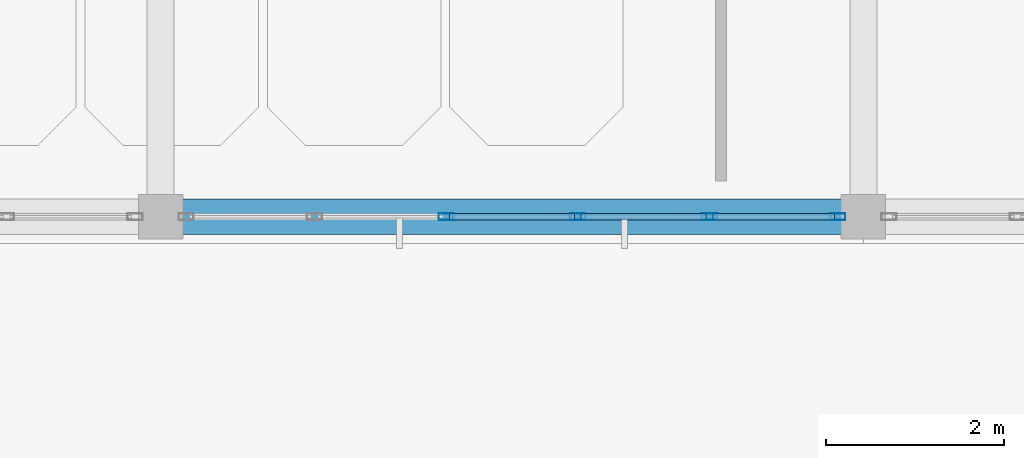
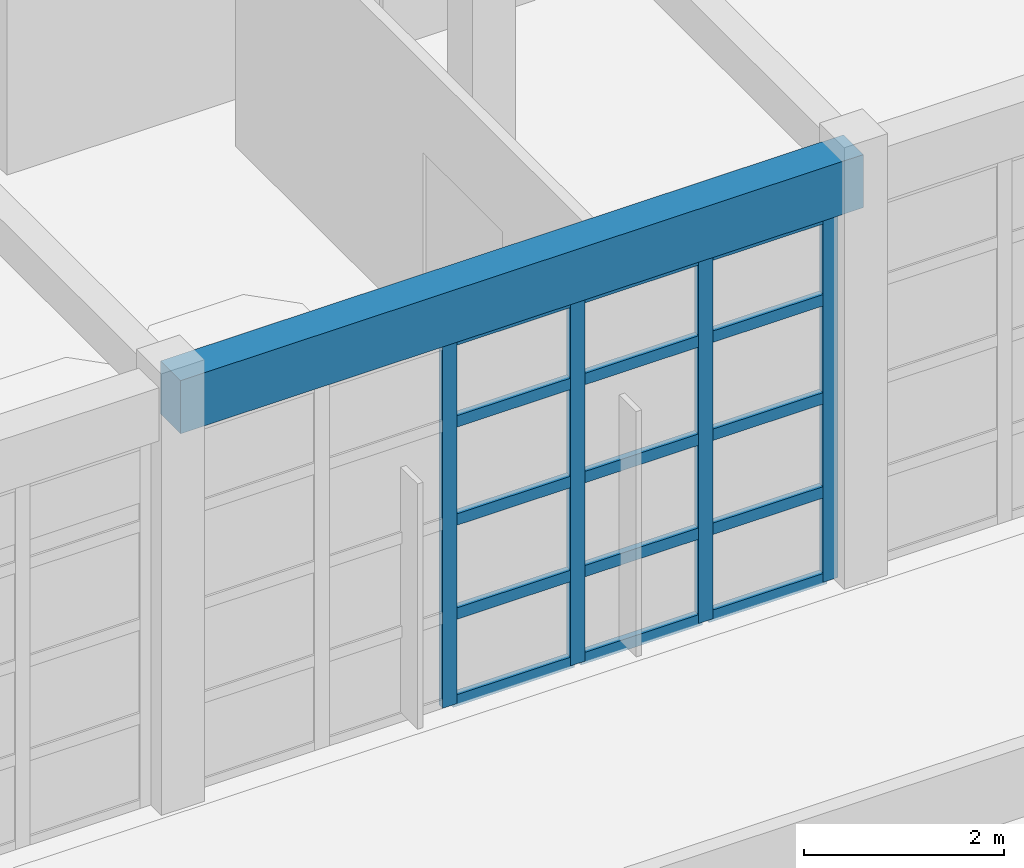
# One storey, part 4 of 103: 19 members, 1 beam, 1 element without a shape of its own.
"""IFC4 building model written with IfcOpenShell, lengths in metres."""

from ifc_helpers import new_model, si_unit, direction, frame, origin, origin_2d, place, context, subcontext, project, spatial, rectangle, hollow_rectangle, extrude, material, layer, layer_set, material_profile, profile_set, type_object, element, aggregate, save


model = new_model("IFC4")

# Units and contexts
model_context = context("Model", 3, precision=1e-05, world=origin(), true_north=direction((0.0, 1.0)))
body_context = subcontext(model_context, "Body", "Model", "MODEL_VIEW")
ifc_project = project(units=[si_unit("LENGTHUNIT", "METRE"), si_unit("AREAUNIT", "SQUARE_METRE"), si_unit("VOLUMEUNIT", "CUBIC_METRE"), si_unit("PLANEANGLEUNIT", "RADIAN"), si_unit("MASSUNIT", "GRAM", prefix="KILO")], contexts=[model_context])

# Site, building, storey
site_placement = place(None, origin())
site = spatial("IfcSite", under=ifc_project, at=site_placement, CompositionType="ELEMENT")
building_placement = place(site_placement, origin())
building = spatial("IfcBuilding", under=site, at=building_placement, Name="Candilejo Ridge Gondola Terminal", CompositionType="ELEMENT")
storey_placement = place(building_placement, frame((0.0, 0.0, 9.0)))
storey = spatial("IfcBuildingStorey", under=building, at=storey_placement, Name="L02", CompositionType="ELEMENT", Elevation=9.0)

# Curtain wall, members
ifc_material_1 = material(Name="Anodised aluminium AA 6063-T6", Category="aluminium")
ifc_layer = layer(ifc_material_1, 0.169921875)
ifc_layer_set = layer_set([ifc_layer], Name="ARC-CW-GALLERY-3200-740X449")
curtain_wall_type = type_object("IfcCurtainWallType", Name="ARC-CW-GALLERY-3200-740X449", PredefinedType="NOTDEFINED", material=ifc_layer_set)
curtain_wall_placement = place(storey_placement, origin())
curtain_wall = element("IfcCurtainWall", 1, at=curtain_wall_placement, inside=storey, type_object=curtain_wall_type, Name="Curtain wall V1 L02-007", PredefinedType="NOTDEFINED")
ifc_material_2 = material(Name="Anodised aluminium AA 6063-T6", Category="aluminium")
ifc_material_profile_1 = material_profile(ifc_material_2, hollow_rectangle(XDim=0.074951171875, YDim=0.169921875, WallThickness=0.00390625, at=origin_2d()))
ifc_profile_set_1 = profile_set([ifc_material_profile_1], Name="Anodised aluminium AA 6063-T6")
member_type_1 = type_object("IfcMemberType", Name="ARC-CW-MULLION", PredefinedType="MULLION", material=ifc_profile_set_1)
member_1_placement = place(storey_placement, frame((15.409912109375, 10.800048828125, 0.0), z_axis=(0.0, 0.0, 1.0), x_axis=(0.0, 1.0, 0.0)))
member_1 = element("IfcMember", 2, at=member_1_placement, type_object=member_type_1, Name="CW-74X44 mullion 3", PredefinedType="MULLION", context=body_context, shape_type="SweptSolid", body=[
    extrude(hollow_rectangle(XDim=0.074951171875, YDim=0.169921875, WallThickness=0.00390625, at=origin_2d()), origin(), (0.0, 0.0, 1.0), 4.489990234375),
])
member_2_placement = place(storey_placement, frame((16.889892578125, 10.800048828125, 0.0), z_axis=(0.0, 0.0, 1.0), x_axis=(0.0, 1.0, 0.0)))
member_2 = element("IfcMember", 3, at=member_2_placement, type_object=member_type_1, Name="CW-74X44 mullion 4", PredefinedType="MULLION", context=body_context, shape_type="SweptSolid", body=[
    extrude(hollow_rectangle(XDim=0.074951171875, YDim=0.169921875, WallThickness=0.00390625, at=origin_2d()), origin(), (0.0, 0.0, 1.0), 4.489990234375),
])
member_3_placement = place(storey_placement, frame((18.3701171875, 10.800048828125, 0.0), z_axis=(0.0, 0.0, 1.0), x_axis=(0.0, 1.0, 0.0)))
member_3 = element("IfcMember", 4, at=member_3_placement, type_object=member_type_1, Name="CW-74X44 mullion 5", PredefinedType="MULLION", context=body_context, shape_type="SweptSolid", body=[
    extrude(hollow_rectangle(XDim=0.074951171875, YDim=0.169921875, WallThickness=0.00390625, at=origin_2d()), origin(), (0.0, 0.0, 1.0), 4.489990234375),
])
member_4_placement = place(storey_placement, frame((19.8125, 10.800048828125, 0.0), z_axis=(0.0, 0.0, 1.0), x_axis=(0.0, 1.0, 0.0)))
member_4 = element("IfcMember", 5, at=member_4_placement, type_object=member_type_1, Name="CW-74X44 mullion 6", PredefinedType="MULLION", context=body_context, shape_type="SweptSolid", body=[
    extrude(hollow_rectangle(XDim=0.074951171875, YDim=0.169921875, WallThickness=0.00390625, at=origin_2d()), origin(), (0.0, 0.0, 1.0), 4.489990234375),
])
ifc_material_3 = material(Name="Anodised aluminium AA 6063-T6", Category="aluminium")
ifc_material_profile_2 = material_profile(ifc_material_3, hollow_rectangle(XDim=0.074951171875, YDim=0.139892578125, WallThickness=0.00390625, at=origin_2d()))
ifc_profile_set_2 = profile_set([ifc_material_profile_2], Name="Anodised aluminium AA 6063-T6")
member_type_2 = type_object("IfcMemberType", Name="ARC-CW-TRANSOM", PredefinedType="USERDEFINED", material=ifc_profile_set_2)
member_5_placement = place(storey_placement, frame((15.447509765625, 10.800048828125, 0.03759765625), z_axis=(1.0, 0.0, 0.0), x_axis=(0.0, 1.0, 0.0)))
member_5 = element("IfcMember", 6, at=member_5_placement, type_object=member_type_2, Name="CW-74X44 transom 3.1", ObjectType="TRANSOM", PredefinedType="USERDEFINED", context=body_context, shape_type="SweptSolid", body=[
    extrude(hollow_rectangle(XDim=0.074951171875, YDim=0.139892578125, WallThickness=0.00390625, at=origin_2d()), origin(), (0.0, 0.0, 1.0), 1.405029296875),
])
member_6_placement = place(storey_placement, frame((15.447509765625, 10.800048828125, 1.10009765625), z_axis=(1.0, 0.0, 0.0), x_axis=(0.0, 1.0, 0.0)))
member_6 = element("IfcMember", 7, at=member_6_placement, type_object=member_type_2, Name="CW-74X44 transom 3.2", ObjectType="TRANSOM", PredefinedType="USERDEFINED", context=body_context, shape_type="SweptSolid", body=[
    extrude(hollow_rectangle(XDim=0.074951171875, YDim=0.139892578125, WallThickness=0.00390625, at=origin_2d()), origin(), (0.0, 0.0, 1.0), 1.405029296875),
])
member_7_placement = place(storey_placement, frame((15.447509765625, 10.800048828125, 2.25), z_axis=(1.0, 0.0, 0.0), x_axis=(0.0, 1.0, 0.0)))
member_7 = element("IfcMember", 8, at=member_7_placement, type_object=member_type_2, Name="CW-74X44 transom 3.3", ObjectType="TRANSOM", PredefinedType="USERDEFINED", context=body_context, shape_type="SweptSolid", body=[
    extrude(hollow_rectangle(XDim=0.074951171875, YDim=0.139892578125, WallThickness=0.00390625, at=origin_2d()), origin(), (0.0, 0.0, 1.0), 1.405029296875),
])
member_8_placement = place(storey_placement, frame((15.447509765625, 10.800048828125, 3.449951171875), z_axis=(1.0, 0.0, 0.0), x_axis=(0.0, 1.0, 0.0)))
member_8 = element("IfcMember", 9, at=member_8_placement, type_object=member_type_2, Name="CW-74X44 transom 3.4", ObjectType="TRANSOM", PredefinedType="USERDEFINED", context=body_context, shape_type="SweptSolid", body=[
    extrude(hollow_rectangle(XDim=0.074951171875, YDim=0.139892578125, WallThickness=0.00390625, at=origin_2d()), origin(), (0.0, 0.0, 1.0), 1.405029296875),
])
member_9_placement = place(storey_placement, frame((15.447509765625, 10.800048828125, 4.452392578125), z_axis=(1.0, 0.0, 0.0), x_axis=(0.0, 1.0, 0.0)))
member_9 = element("IfcMember", 10, at=member_9_placement, type_object=member_type_2, Name="CW-74X44 transom 3.5", ObjectType="TRANSOM", PredefinedType="USERDEFINED", context=body_context, shape_type="SweptSolid", body=[
    extrude(hollow_rectangle(XDim=0.074951171875, YDim=0.139892578125, WallThickness=0.00390625, at=origin_2d()), origin(), (0.0, 0.0, 1.0), 1.405029296875),
])
member_10_placement = place(storey_placement, frame((16.927490234375, 10.800048828125, 0.03759765625), z_axis=(1.0, 0.0, 0.0), x_axis=(0.0, 1.0, 0.0)))
member_10 = element("IfcMember", 11, at=member_10_placement, type_object=member_type_2, Name="CW-74X44 transom 4.1", ObjectType="TRANSOM", PredefinedType="USERDEFINED", context=body_context, shape_type="SweptSolid", body=[
    extrude(hollow_rectangle(XDim=0.074951171875, YDim=0.139892578125, WallThickness=0.00390625, at=origin_2d()), origin(), (0.0, 0.0, 1.0), 1.405029296875),
])
member_11_placement = place(storey_placement, frame((16.927490234375, 10.800048828125, 1.10009765625), z_axis=(1.0, 0.0, 0.0), x_axis=(0.0, 1.0, 0.0)))
member_11 = element("IfcMember", 12, at=member_11_placement, type_object=member_type_2, Name="CW-74X44 transom 4.2", ObjectType="TRANSOM", PredefinedType="USERDEFINED", context=body_context, shape_type="SweptSolid", body=[
    extrude(hollow_rectangle(XDim=0.074951171875, YDim=0.139892578125, WallThickness=0.00390625, at=origin_2d()), origin(), (0.0, 0.0, 1.0), 1.405029296875),
])
member_12_placement = place(storey_placement, frame((16.927490234375, 10.800048828125, 2.25), z_axis=(1.0, 0.0, 0.0), x_axis=(0.0, 1.0, 0.0)))
member_12 = element("IfcMember", 13, at=member_12_placement, type_object=member_type_2, Name="CW-74X44 transom 4.3", ObjectType="TRANSOM", PredefinedType="USERDEFINED", context=body_context, shape_type="SweptSolid", body=[
    extrude(hollow_rectangle(XDim=0.074951171875, YDim=0.139892578125, WallThickness=0.00390625, at=origin_2d()), origin(), (0.0, 0.0, 1.0), 1.405029296875),
])
member_13_placement = place(storey_placement, frame((16.927490234375, 10.800048828125, 3.449951171875), z_axis=(1.0, 0.0, 0.0), x_axis=(0.0, 1.0, 0.0)))
member_13 = element("IfcMember", 14, at=member_13_placement, type_object=member_type_2, Name="CW-74X44 transom 4.4", ObjectType="TRANSOM", PredefinedType="USERDEFINED", context=body_context, shape_type="SweptSolid", body=[
    extrude(hollow_rectangle(XDim=0.074951171875, YDim=0.139892578125, WallThickness=0.00390625, at=origin_2d()), origin(), (0.0, 0.0, 1.0), 1.405029296875),
])
member_14_placement = place(storey_placement, frame((16.927490234375, 10.800048828125, 4.452392578125), z_axis=(1.0, 0.0, 0.0), x_axis=(0.0, 1.0, 0.0)))
member_14 = element("IfcMember", 15, at=member_14_placement, type_object=member_type_2, Name="CW-74X44 transom 4.5", ObjectType="TRANSOM", PredefinedType="USERDEFINED", context=body_context, shape_type="SweptSolid", body=[
    extrude(hollow_rectangle(XDim=0.074951171875, YDim=0.139892578125, WallThickness=0.00390625, at=origin_2d()), origin(), (0.0, 0.0, 1.0), 1.405029296875),
])
member_15_placement = place(storey_placement, frame((18.407470703125, 10.800048828125, 0.03759765625), z_axis=(1.0, 0.0, 0.0), x_axis=(0.0, 1.0, 0.0)))
member_15 = element("IfcMember", 16, at=member_15_placement, type_object=member_type_2, Name="CW-74X44 transom 5.1", ObjectType="TRANSOM", PredefinedType="USERDEFINED", context=body_context, shape_type="SweptSolid", body=[
    extrude(hollow_rectangle(XDim=0.074951171875, YDim=0.139892578125, WallThickness=0.00390625, at=origin_2d()), origin(), (0.0, 0.0, 1.0), 1.367431640625),
])
member_16_placement = place(storey_placement, frame((18.407470703125, 10.800048828125, 1.10009765625), z_axis=(1.0, 0.0, 0.0), x_axis=(0.0, 1.0, 0.0)))
member_16 = element("IfcMember", 17, at=member_16_placement, type_object=member_type_2, Name="CW-74X44 transom 5.2", ObjectType="TRANSOM", PredefinedType="USERDEFINED", context=body_context, shape_type="SweptSolid", body=[
    extrude(hollow_rectangle(XDim=0.074951171875, YDim=0.139892578125, WallThickness=0.00390625, at=origin_2d()), origin(), (0.0, 0.0, 1.0), 1.367431640625),
])
member_17_placement = place(storey_placement, frame((18.407470703125, 10.800048828125, 2.25), z_axis=(1.0, 0.0, 0.0), x_axis=(0.0, 1.0, 0.0)))
member_17 = element("IfcMember", 18, at=member_17_placement, type_object=member_type_2, Name="CW-74X44 transom 5.3", ObjectType="TRANSOM", PredefinedType="USERDEFINED", context=body_context, shape_type="SweptSolid", body=[
    extrude(hollow_rectangle(XDim=0.074951171875, YDim=0.139892578125, WallThickness=0.00390625, at=origin_2d()), origin(), (0.0, 0.0, 1.0), 1.367431640625),
])
member_18_placement = place(storey_placement, frame((18.407470703125, 10.800048828125, 3.449951171875), z_axis=(1.0, 0.0, 0.0), x_axis=(0.0, 1.0, 0.0)))
member_18 = element("IfcMember", 19, at=member_18_placement, type_object=member_type_2, Name="CW-74X44 transom 5.4", ObjectType="TRANSOM", PredefinedType="USERDEFINED", context=body_context, shape_type="SweptSolid", body=[
    extrude(hollow_rectangle(XDim=0.074951171875, YDim=0.139892578125, WallThickness=0.00390625, at=origin_2d()), origin(), (0.0, 0.0, 1.0), 1.367431640625),
])
member_19_placement = place(storey_placement, frame((18.407470703125, 10.800048828125, 4.452392578125), z_axis=(1.0, 0.0, 0.0), x_axis=(0.0, 1.0, 0.0)))
member_19 = element("IfcMember", 20, at=member_19_placement, type_object=member_type_2, Name="CW-74X44 transom 5.5", ObjectType="TRANSOM", PredefinedType="USERDEFINED", context=body_context, shape_type="SweptSolid", body=[
    extrude(hollow_rectangle(XDim=0.074951171875, YDim=0.139892578125, WallThickness=0.00390625, at=origin_2d()), origin(), (0.0, 0.0, 1.0), 1.367431640625),
])
aggregate(curtain_wall, [member_1, member_2, member_3, member_4, member_5, member_6, member_7, member_8, member_9, member_10, member_11, member_12, member_13, member_14, member_15, member_16, member_17, member_18, member_19])

# Beam
ifc_material_4 = material(Name="Concrete f'c 35 MPa (C35/45)", Category="concrete")
ifc_material_profile_3 = material_profile(ifc_material_4, rectangle(XDim=0.39990234375, YDim=0.64990234375, at=origin_2d()))
ifc_profile_set_3 = profile_set([ifc_material_profile_3], Name="Concrete f'c 35 MPa (C35/45)")
beam_type = type_object("IfcBeamType", Name="STR-SPN-RC400X650", PredefinedType="SPANDREL", material=ifc_profile_set_3)
beam_placement = place(storey_placement, frame((12.199951171875, 10.800048828125, 4.875), z_axis=(1.0, 0.0, 0.0), x_axis=(0.0, 1.0, 0.0)))
element("IfcBeam", 21, at=beam_placement, inside=storey, type_object=beam_type, Name="Beam X V1 L02 X02-X03@Y02", PredefinedType="SPANDREL", context=body_context, shape_type="SweptSolid", body=[
    extrude(rectangle(XDim=0.39990234375, YDim=0.64990234375, at=origin_2d()), origin(), (0.0, 0.0, 1.0), 7.900146484375),
])

save(model, "model.ifc")
